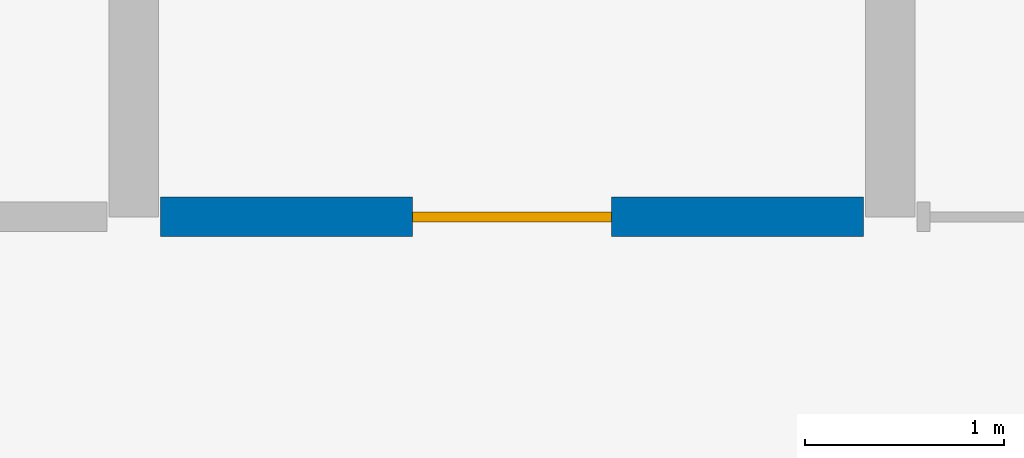
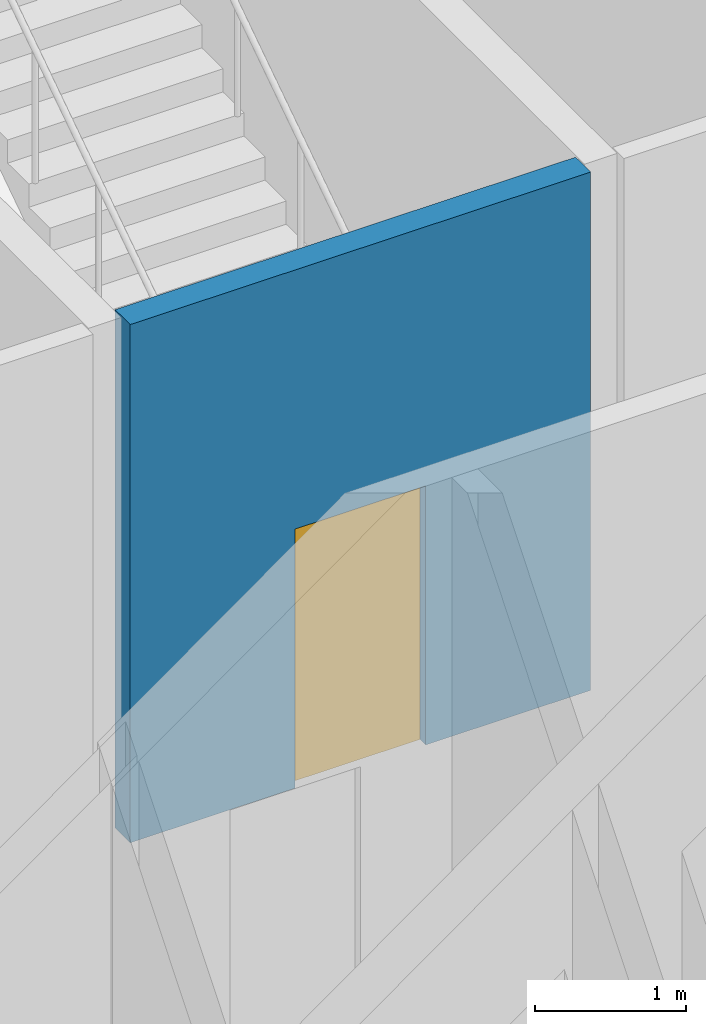
# One storey, part 17 of 27: 1 door, 1 wall, 1 opening.
"""IFC4 building model written with IfcOpenShell, lengths in metres."""

from ifc_helpers import new_model, si_unit, direction, frame, frame_2d, origin, place, context, subcontext, project, spatial, rectangle, extrude, material, layer, layer_set, type_object, element, fill, save


model = new_model("IFC4")

# Units and contexts
model_context = context("Model", 3, precision=1e-05, world=origin(), true_north=direction((0.0, 1.0)))
body_context = subcontext(model_context, "Body", "Model", "MODEL_VIEW")
ifc_project = project(units=[si_unit("LENGTHUNIT", "METRE"), si_unit("AREAUNIT", "SQUARE_METRE"), si_unit("VOLUMEUNIT", "CUBIC_METRE"), si_unit("PLANEANGLEUNIT", "RADIAN"), si_unit("MASSUNIT", "GRAM", prefix="KILO")], contexts=[model_context])

# Site, building, storey
site_placement = place(None, origin())
site = spatial("IfcSite", under=ifc_project, at=site_placement, CompositionType="ELEMENT")
building_placement = place(site_placement, origin())
building = spatial("IfcBuilding", under=site, at=building_placement, Name="Poui Terraces", CompositionType="ELEMENT")
storey_placement = place(building_placement, origin())
storey = spatial("IfcBuildingStorey", under=building, at=storey_placement, Name="L00", CompositionType="ELEMENT", Elevation=0.0)

# Wall, opening, door
ifc_material_1 = material(Name="Fire-rated masonry wall", Category="masonry")
ifc_layer = layer(ifc_material_1, 0.199951171875)
ifc_layer_set = layer_set([ifc_layer], Name="Fire-rated masonry wall")
wall_type = type_object("IfcWallType", Name="STAIR WALL 200", PredefinedType="PARTITIONING", material=ifc_layer_set)
wall_placement = place(storey_placement, frame((54.135009765625, 30.39990234375, 0.0), z_axis=(0.0, 0.0, 1.0), x_axis=(1.0, 0.0, 0.0)))
wall = element("IfcWall", 1, at=wall_placement, inside=storey, type_object=wall_type, Name="STAIR WALL 200", PredefinedType="PARTITIONING", context=body_context, shape_type="SweptSolid", body=[
    extrude(rectangle(XDim=3.530029296875, YDim=0.199951171875, at=frame_2d((1.76513671875, 0.0))), origin(), (0.0, 0.0, 1.0), 4.199951171875),
])
opening_placement = place(wall_placement, frame((1.264892578125, 0.0, 0.0)))
opening = element("IfcOpeningElement", 2, at=opening_placement, cuts=wall, Name="Opening FD60S", PredefinedType="OPENING", context=body_context, shape_type="SweptSolid", body=[
    extrude(rectangle(XDim=1.0, YDim=2.10009765625, at=frame_2d((0.5, 1.050048828125))), frame((0.0, 0.10986328125, 0.0), z_axis=(0.0, -1.0, 0.0), x_axis=(1.0, 0.0, 0.0)), (0.0, 0.0, 1.0), 0.219970703125),
])
ifc_material_2 = material(Name="Steel fire door", Category="steel")
door_type = type_object("IfcDoorType", Name="STAIR DOOR 1000 X 2100", OperationType="NOTDEFINED", PredefinedType="DOOR", material=ifc_material_2)
door_placement = place(opening_placement, origin())
door = element("IfcDoor", 3, at=door_placement, inside=storey, type_object=door_type, Name="STAIR DOOR 031", OperationType="SINGLE_SWING_LEFT", OverallHeight=2.10009765625, OverallWidth=1.0, PredefinedType="DOOR", context=body_context, shape_type="SweptSolid", body=[
    extrude(rectangle(XDim=1.0, YDim=2.10009765625, at=frame_2d((0.5, 1.050048828125))), frame((0.0, 0.02490234375, 0.0), z_axis=(0.0, -1.0, 0.0), x_axis=(1.0, 0.0, 0.0)), (0.0, 0.0, 1.0), 0.050048828125),
])
fill(opening, door)

save(model, "model.ifc")
